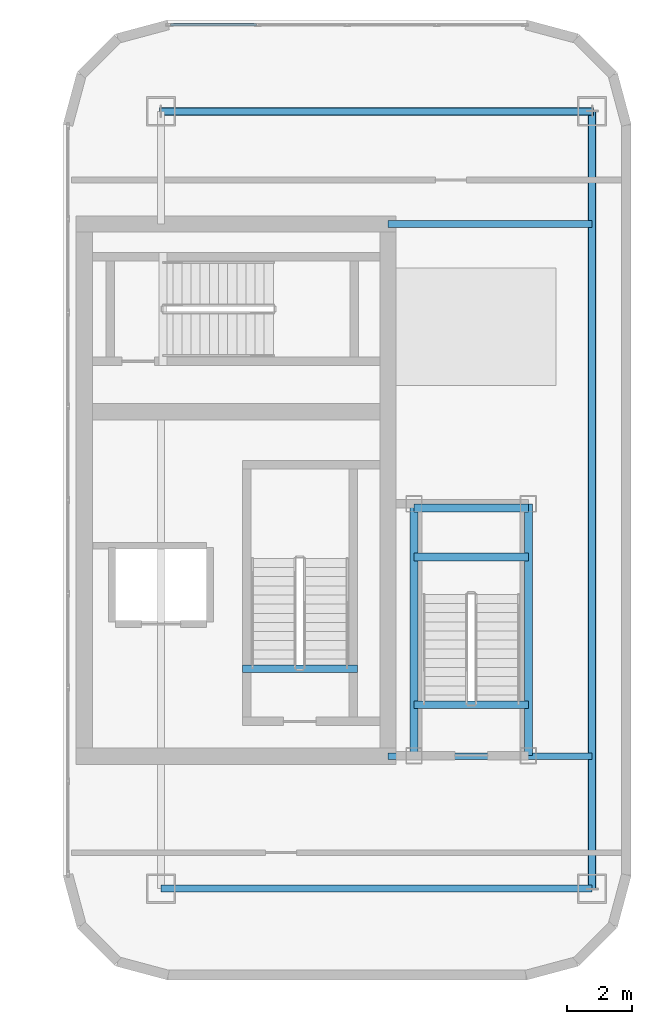
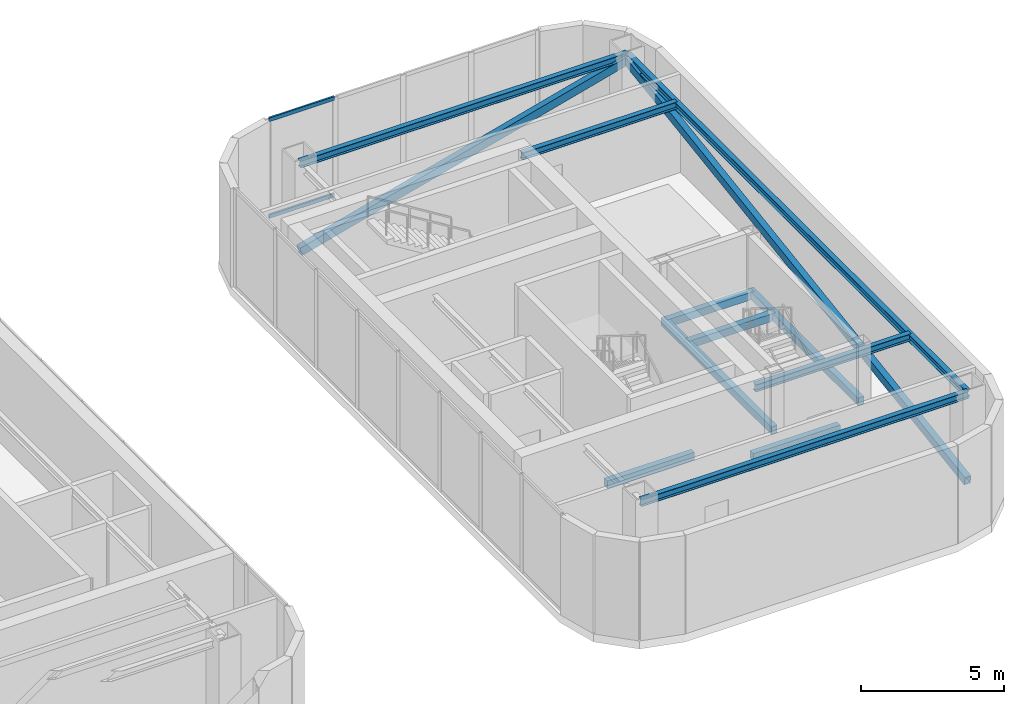
# One storey, part 6 of 13: 11 beams, 4 members, 1 element without a shape of its own.
"""IFC4 building model written with IfcOpenShell, lengths in metres."""

from ifc_helpers import new_model, si_unit, direction, frame, origin, origin_2d, place, context, subcontext, project, spatial, rectangle, hollow_rectangle, i_section, extrude, material, layer, layer_set, material_profile, profile_set, type_object, element, aggregate, save


model = new_model("IFC4")

# Units and contexts
model_context = context("Model", 3, precision=1e-05, world=origin(), true_north=direction((0.0, 1.0)))
body_context = subcontext(model_context, "Body", "Model", "MODEL_VIEW")
ifc_project = project(units=[si_unit("LENGTHUNIT", "METRE"), si_unit("AREAUNIT", "SQUARE_METRE"), si_unit("VOLUMEUNIT", "CUBIC_METRE"), si_unit("PLANEANGLEUNIT", "RADIAN"), si_unit("MASSUNIT", "GRAM", prefix="KILO")], contexts=[model_context])

# Site, building, storey
site_placement = place(None, origin())
site = spatial("IfcSite", under=ifc_project, at=site_placement, CompositionType="ELEMENT")
building_placement = place(site_placement, origin())
building = spatial("IfcBuilding", under=site, at=building_placement, Name="Kiyonajd Concourse Tower", CompositionType="ELEMENT")
storey_placement = place(building_placement, frame((0.0, 0.0, 363.89990234375)))
storey = spatial("IfcBuildingStorey", under=building, at=storey_placement, Name="L91", CompositionType="ELEMENT", Elevation=363.89990234375)

# Beams
ifc_material_1 = material(Name="Steel ASTM A992 Grade 50", Category="steel")
ifc_material_profile_1 = material_profile(ifc_material_1, i_section(OverallWidth=0.2041015625, OverallDepth=0.305908203125, WebThickness=0.008544921875, FlangeThickness=0.0146484375, at=origin_2d()), Name="W310X67")
ifc_profile_set_1 = profile_set([ifc_material_profile_1], Name="Steel ASTM A992 Grade 50")
beam_type_1 = type_object("IfcBeamType", Name="BM-CRN-310", PredefinedType="BEAM", material=ifc_profile_set_1)
beam_1_placement = place(storey_placement, frame((56.39990234375, 23.800048828125, 4.007080078125), z_axis=(1.0, 0.0, 0.0), x_axis=(0.0, 1.0, 0.0)))
element("IfcBeam", 1, at=beam_1_placement, inside=storey, type_object=beam_type_1, Name="L91 E Crown Ring Beam 1", PredefinedType="BEAM", context=body_context, shape_type="SweptSolid", body=[
    extrude(i_section(OverallWidth=0.2041015625, OverallDepth=0.305908203125, WebThickness=0.008544921875, FlangeThickness=0.0146484375, at=origin_2d()), origin(), (0.0, 0.0, 1.0), 13.2001953125),
])
beam_2_placement = place(storey_placement, frame((69.60009765625, 23.800048828125, 4.007080078125), z_axis=(0.0, 1.0, 0.0), x_axis=(-1.0, 0.0, 0.0)))
element("IfcBeam", 2, at=beam_2_placement, inside=storey, type_object=beam_type_1, Name="L91 E Crown Ring Beam 2", PredefinedType="BEAM", context=body_context, shape_type="SweptSolid", body=[
    extrude(i_section(OverallWidth=0.2041015625, OverallDepth=0.305908203125, WebThickness=0.008544921875, FlangeThickness=0.0146484375, at=origin_2d()), origin(), (0.0, 0.0, 1.0), 23.800048828125),
])
beam_3_placement = place(storey_placement, frame((69.60009765625, 47.60009765625, 4.007080078125), z_axis=(-1.0, 0.0, 0.0), x_axis=(0.0, -1.0, 0.0)))
element("IfcBeam", 3, at=beam_3_placement, inside=storey, type_object=beam_type_1, Name="L91 E Crown Ring Beam 3", PredefinedType="BEAM", context=body_context, shape_type="SweptSolid", body=[
    extrude(i_section(OverallWidth=0.2041015625, OverallDepth=0.305908203125, WebThickness=0.008544921875, FlangeThickness=0.0146484375, at=origin_2d()), origin(), (0.0, 0.0, 1.0), 13.2001953125),
])
for number, where, z_axis, x_axis, name in (
    (4, (63.35009765625, 27.85009765625, 4.007080078125), (1.0, 0.0, 0.0), (0.0, 1.0, 0.0), "L91 E Crown Core Tie South"),
    (5, (63.35009765625, 44.14990234375, 4.007080078125), (1.0, 0.0, 0.0), (0.0, 1.0, 0.0), "L91 E Crown Core Tie North"),
):
    element("IfcBeam", number, at=place(storey_placement, frame(where, z_axis=z_axis, x_axis=x_axis)), inside=storey, type_object=beam_type_1, Name=name, PredefinedType="BEAM", context=body_context, shape_type="SweptSolid", body=[
        extrude(i_section(OverallWidth=0.2041015625, OverallDepth=0.305908203125, WebThickness=0.008544921875, FlangeThickness=0.0146484375, at=origin_2d()), origin(), (0.0, 0.0, 1.0), 6.25),
    ])
ifc_material_2 = material(Name="Concrete C50/60", Category="concrete")
ifc_material_profile_2 = material_profile(ifc_material_2, rectangle(XDim=0.239990234375, YDim=0.320068359375, at=origin_2d()), Name="RCBM-240x320")
ifc_profile_set_2 = profile_set([ifc_material_profile_2], Name="Concrete C50/60")
beam_type_2 = type_object("IfcBeamType", Name="BM-LNT-250", PredefinedType="LINTEL", material=ifc_profile_set_2)
beam_4_placement = place(storey_placement, frame((58.889892578125, 30.530029296875, -0.159912109375), z_axis=(1.0, 0.0, 0.0), x_axis=(0.0, 1.0, 0.0)))
element("IfcBeam", 6, at=beam_4_placement, inside=storey, type_object=beam_type_2, Name="L91 Stair ST2 Threshold Support Beam", PredefinedType="LINTEL", context=body_context, shape_type="SweptSolid", body=[
    extrude(rectangle(XDim=0.239990234375, YDim=0.320068359375, at=origin_2d()), origin(), (0.0, 0.0, 1.0), 3.52001953125),
])
for number, where, z_axis, x_axis, name in (
    (7, (64.14990234375, 29.429931640625, -0.159912109375), (1.0, 0.0, 0.0), (0.0, 1.0, 0.0), "L91 Stair ST6 Threshold Support Beam"),
    (8, (64.14990234375, 33.949951171875, 1.89013671875), (1.0, 0.0, 0.0), (0.0, 1.0, 0.0), "L91 Stair ST6 Landing Support Beam"),
    (9, (64.14990234375, 35.449951171875, 1.89013671875), (1.0, 0.0, 0.0), (0.0, 1.0, 0.0), "L91 Stair ST6 Landing Support Beam"),
):
    element("IfcBeam", number, at=place(storey_placement, frame(where, z_axis=z_axis, x_axis=x_axis)), inside=storey, type_object=beam_type_2, Name=name, PredefinedType="LINTEL", context=body_context, shape_type="SweptSolid", body=[
        extrude(rectangle(XDim=0.239990234375, YDim=0.320068359375, at=origin_2d()), origin(), (0.0, 0.0, 1.0), 3.5),
    ])
for number, where, z_axis, x_axis, name in (
    (10, (64.14990234375, 27.8701171875, 1.89013671875), (0.0, 1.0, 0.0), (-1.0, 0.0, 0.0), "L91 Stair ST6 Side Stringer Beam"),
    (11, (67.64990234375, 27.8701171875, 1.89013671875), (0.0, 1.0, 0.0), (-1.0, 0.0, 0.0), "L91 Stair ST6 Side Stringer Beam"),
):
    element("IfcBeam", number, at=place(storey_placement, frame(where, z_axis=z_axis, x_axis=x_axis)), inside=storey, type_object=beam_type_2, Name=name, PredefinedType="LINTEL", context=body_context, shape_type="SweptSolid", body=[
        extrude(rectangle(XDim=0.239990234375, YDim=0.320068359375, at=origin_2d()), origin(), (0.0, 0.0, 1.0), 7.7099609375),
    ])

# Members
ifc_material_3 = material(Name="Steel ASTM A500 Grade C", Category="steel")
ifc_material_profile_3 = material_profile(ifc_material_3, hollow_rectangle(XDim=0.25, YDim=0.35009765625, WallThickness=0.01611328125, at=origin_2d()), Name="HSS-350x250x16")
ifc_profile_set_3 = profile_set([ifc_material_profile_3], Name="Steel ASTM A500 Grade C")
member_type_1 = type_object("IfcMemberType", Name="MB-CRN-BRC", PredefinedType="BRACE", material=ifc_profile_set_3)
member_1_placement = place(storey_placement, frame((56.39990234375, 47.60009765625, 0.300048828125), z_axis=(0.965686426115, 0.0, 0.25971085156), x_axis=(0.0, 1.0, 0.0)))
element("IfcMember", 12, at=member_1_placement, inside=storey, type_object=member_type_1, Name="L91 E Crown Wind Brace 1", PredefinedType="BRACE", context=body_context, shape_type="SweptSolid", body=[
    extrude(hollow_rectangle(XDim=0.25, YDim=0.35009765625, WallThickness=0.01611328125, at=origin_2d()), origin(), (0.0, 0.0, 1.0), 13.669189453125),
])
member_2_placement = place(storey_placement, frame((69.60009765625, 23.800048828125, 0.300048828125), z_axis=(0.0, 0.989057694684, 0.147529239764), x_axis=(-1.0, 0.0, 0.0)))
element("IfcMember", 13, at=member_2_placement, inside=storey, type_object=member_type_1, Name="L91 E Crown Wind Brace 2", PredefinedType="BRACE", context=body_context, shape_type="SweptSolid", body=[
    extrude(hollow_rectangle(XDim=0.25, YDim=0.35009765625, WallThickness=0.01611328125, at=origin_2d()), origin(), (0.0, 0.0, 1.0), 24.0634765625),
])

# Curtain wall, members
ifc_material_4 = material(Name="Thermally Broken Anodised Aluminium", Category="aluminium")
ifc_layer = layer(ifc_material_4, 0.179931640625)
ifc_layer_set = layer_set([ifc_layer], Name="Thermally Broken Anodised Aluminium")
curtain_wall_type = type_object("IfcCurtainWallType", Name="CW-SYS-06", PredefinedType="NOTDEFINED", material=ifc_layer_set)
curtain_wall_placement = place(storey_placement, origin())
curtain_wall = element("IfcCurtainWall", 14, at=curtain_wall_placement, inside=storey, type_object=curtain_wall_type, Name="L91 Unitised Curtain Wall CW6", PredefinedType="NOTDEFINED")
ifc_material_profile_4 = material_profile(ifc_material_4, hollow_rectangle(XDim=0.074951171875, YDim=0.159912109375, WallThickness=0.0048828125, at=origin_2d()), Name="TRAN-75x160")
ifc_profile_set_4 = profile_set([ifc_material_profile_4], Name="Thermally Broken Anodised Aluminium")
member_type_2 = type_object("IfcMemberType", Name="MB-CW-TRAN2", PredefinedType="USERDEFINED", material=ifc_profile_set_4)
member_3_placement = place(storey_placement, frame((56.69482421875, 50.25, 0.03759765625), z_axis=(1.0, 0.0, 0.0), x_axis=(0.0, 1.0, 0.0)))
member_3 = element("IfcMember", 15, at=member_3_placement, type_object=member_type_2, Name="CW6 transom 1.1", ObjectType="TRANSOM", PredefinedType="USERDEFINED", context=body_context, shape_type="SweptSolid", body=[
    extrude(hollow_rectangle(XDim=0.074951171875, YDim=0.159912109375, WallThickness=0.0048828125, at=origin_2d()), origin(), (0.0, 0.0, 1.0), 2.627685546875),
])
member_4_placement = place(storey_placement, frame((56.69482421875, 50.25, 4.16259765625), z_axis=(1.0, 0.0, 0.0), x_axis=(0.0, 1.0, 0.0)))
member_4 = element("IfcMember", 16, at=member_4_placement, type_object=member_type_2, Name="CW6 transom 1.2", ObjectType="TRANSOM", PredefinedType="USERDEFINED", context=body_context, shape_type="SweptSolid", body=[
    extrude(hollow_rectangle(XDim=0.074951171875, YDim=0.159912109375, WallThickness=0.0048828125, at=origin_2d()), origin(), (0.0, 0.0, 1.0), 2.627685546875),
])
aggregate(curtain_wall, [member_3, member_4])

save(model, "model.ifc")
